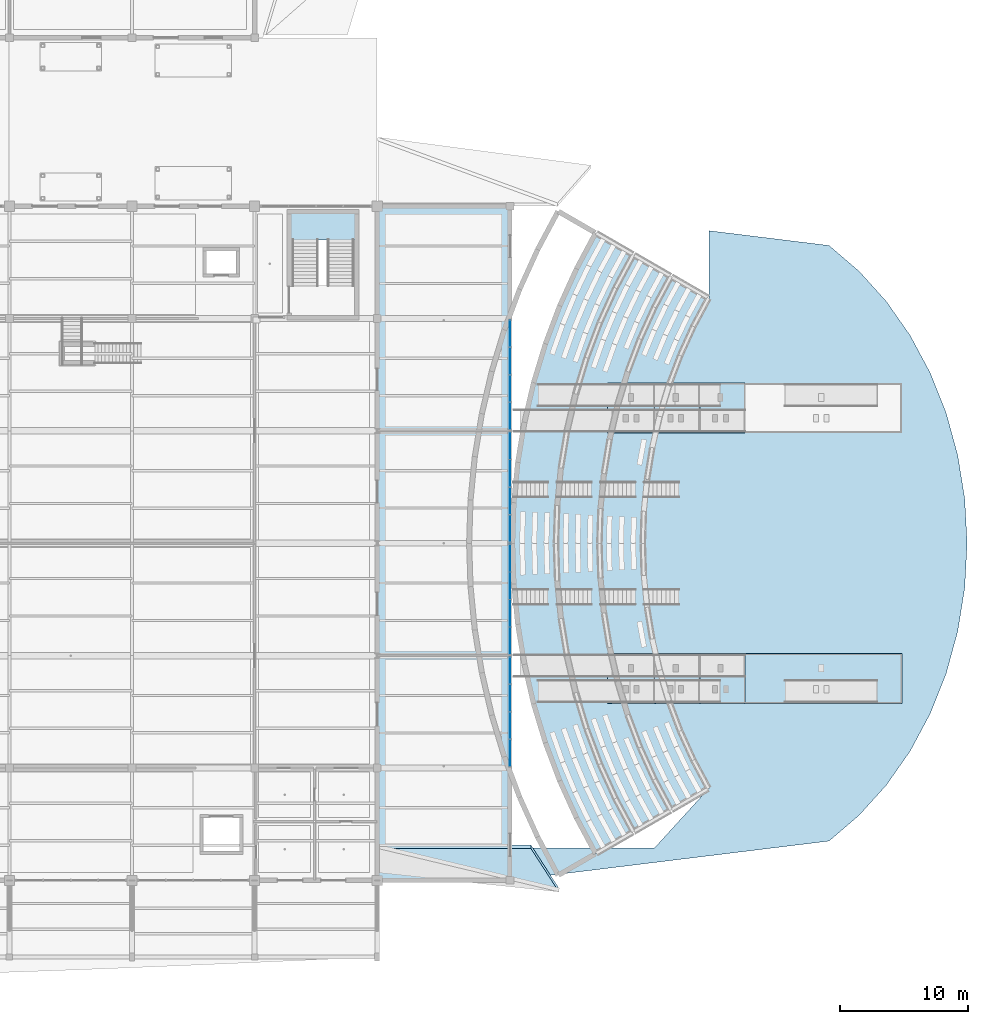
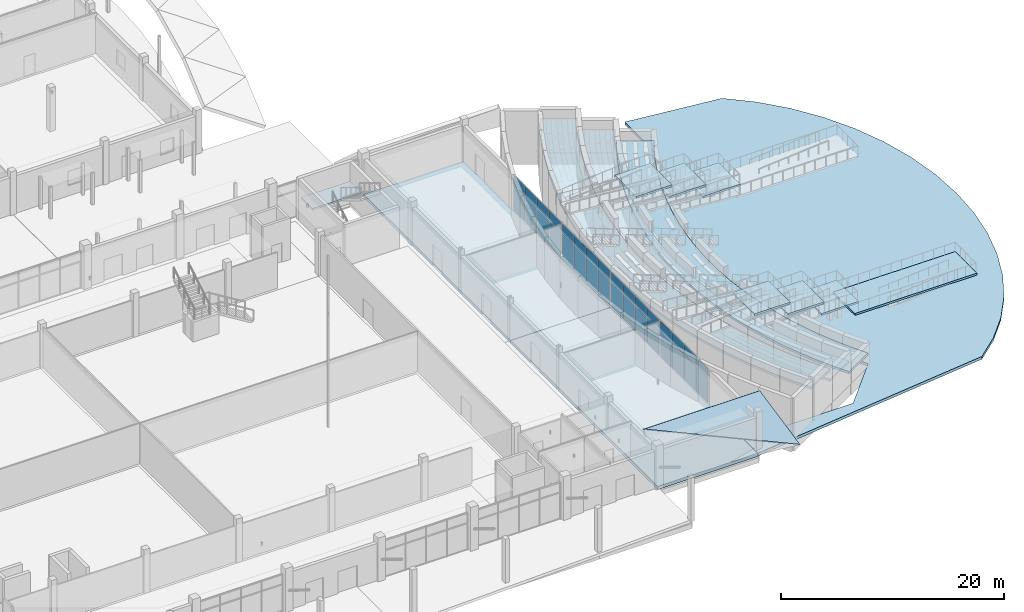
# One storey, part 69 of 116: 32 plates, 15 slabs, 12 elements without a shape of their own.
"""IFC4 building model written with IfcOpenShell, lengths in metres."""

from ifc_helpers import new_model, si_unit, direction, frame, origin, origin_2d, place, context, subcontext, project, spatial, polyline, rectangle, outline, extrude, material, layer, layer_set, type_object, element, aggregate, save


model = new_model("IFC4")

# Units and contexts
model_context = context("Model", 3, precision=1e-05, world=origin(), true_north=direction((0.0, 1.0)))
body_context = subcontext(model_context, "Body", "Model", "MODEL_VIEW")
ifc_project = project(units=[si_unit("LENGTHUNIT", "METRE"), si_unit("AREAUNIT", "SQUARE_METRE"), si_unit("VOLUMEUNIT", "CUBIC_METRE"), si_unit("PLANEANGLEUNIT", "RADIAN"), si_unit("MASSUNIT", "GRAM", prefix="KILO")], contexts=[model_context])

# Site, building, storey
site_placement = place(None, origin())
site = spatial("IfcSite", under=ifc_project, at=site_placement, CompositionType="ELEMENT")
building_placement = place(site_placement, origin())
building = spatial("IfcBuilding", under=site, at=building_placement, Name="Chalmorin Arch Market", CompositionType="ELEMENT")
storey_placement = place(building_placement, origin())
storey = spatial("IfcBuildingStorey", under=building, at=storey_placement, Name="L00", CompositionType="ELEMENT", Elevation=0.0)

# Slabs
ifc_material_1 = material(Name="Concrete C40/50", Category="concrete")
ifc_layer_1 = layer(ifc_material_1, 0.340087890625)
ifc_layer_set_1 = layer_set([ifc_layer_1], Name="Concrete C40/50")
slab_type_1 = type_object("IfcSlabType", Name="GreenMoundDeckSlab-340", PredefinedType="FLOOR", material=ifc_layer_set_1)
slab_1_placement = place(storey_placement, frame((136.8359375, 8.5, 4.780029296875), z_axis=(0.0, -0.804190333363, 0.594371859803), x_axis=(-1.0, 0.0, 0.0)))
element("IfcSlab", 1, at=slab_1_placement, inside=storey, type_object=slab_type_1, Name="ETS-340-647", PredefinedType="FLOOR", context=body_context, shape_type="SweptSolid", body=[
    extrude(outline(polyline([(0.0, 0.0), (11.98583984375, 0.0), (-2.199951171875, 5.720160346884823), (0.0, 0.0)])), origin(), (0.0, 0.0, -1.0), 0.340087890625),
])
ifc_layer_2 = layer(ifc_material_1, 0.300048828125)
ifc_layer_set_2 = layer_set([ifc_layer_2], Name="Concrete C40/50")
slab_type_2 = type_object("IfcSlabType", Name="OutdoorPlazaBaseSlab-300", PredefinedType="BASESLAB", material=ifc_layer_set_2)
slab_2_placement = place(storey_placement, frame((0.0, 0.0, -0.300048828125)))
element("IfcSlab", 2, at=slab_2_placement, inside=storey, type_object=slab_type_2, Name="EBS-300-049", PredefinedType="BASESLAB", context=body_context, shape_type="SweptSolid", body=[
    extrude(outline(polyline([(135.219970703125, 6.010009765625), (160.18798828125, 9.0791015625), (162.552001953125, 11.10400390625), (164.68408203125, 13.469970703125), (166.548095703125, 16.138916015625), (168.115966796875, 19.068115234375), (169.363037109375, 22.2099609375), (170.26708984375, 25.514892578125), (170.81591796875, 28.929931640625), (171.0, 32.39990234375), (170.81591796875, 35.8701171875), (170.26708984375, 39.284912109375), (169.363037109375, 42.590087890625), (168.115966796875, 45.73193359375), (166.548095703125, 48.660888671875), (164.68408203125, 51.330078125), (162.552001953125, 53.696044921875), (160.18798828125, 55.720947265625), (135.219970703125, 58.800048828125), (150.779052734375, 58.800048828125), (150.779052734375, 51.580078125), (149.97412109375, 50.113037109375), (149.23388671875, 48.612060546875), (148.56005859375, 47.080078125), (147.952880859375, 45.52001953125), (147.4150390625, 43.93505859375), (146.947021484375, 42.327880859375), (146.549072265625, 40.702880859375), (146.222900390625, 39.06103515625), (145.968017578125, 37.406982421875), (145.785888671875, 35.742919921875), (145.677001953125, 34.072998046875), (145.639892578125, 32.39990234375), (145.677001953125, 30.72705078125), (145.785888671875, 29.056884765625), (145.968017578125, 27.39306640625), (146.222900390625, 25.739013671875), (146.549072265625, 24.096923828125), (146.947021484375, 22.471923828125), (147.4150390625, 20.864990234375), (147.952880859375, 19.280029296875), (148.56005859375, 17.719970703125), (149.23388671875, 16.18798828125), (149.97412109375, 14.68701171875), (150.779052734375, 13.219970703125), (146.5, 8.52001953125), (135.219970703125, 8.52001953125), (135.219970703125, 6.010009765625)])), origin(), (0.0, 0.0, 1.0), 0.300048828125),
])
ifc_layer_3 = layer(ifc_material_1, 0.260009765625)
ifc_layer_set_3 = layer_set([ifc_layer_3], Name="Concrete C40/50")
slab_type_3 = type_object("IfcSlabType", Name="OutdoorTerraceLandingSlab-260", PredefinedType="BASESLAB", material=ifc_layer_set_3)
slab_3_placement = place(storey_placement, frame((0.0, 0.0, 0.93994140625)))
element("IfcSlab", 3, at=slab_3_placement, inside=storey, type_object=slab_type_3, Name="ETL-260-056", PredefinedType="BASESLAB", context=body_context, shape_type="SweptSolid", body=[
    extrude(outline(polyline([(147.81298828125, 53.2919921875), (146.93603515625, 51.694091796875), (146.1298828125, 50.05908203125), (145.39599609375, 48.389892578125), (144.735107421875, 46.69091796875), (144.14892578125, 44.965087890625), (143.638916015625, 43.215087890625), (143.205078125, 41.444091796875), (142.85009765625, 39.656005859375), (142.572021484375, 37.85400390625), (142.3740234375, 36.0419921875), (142.2548828125, 34.222900390625), (142.215087890625, 32.39990234375), (142.2548828125, 30.576904296875), (142.3740234375, 28.758056640625), (142.572021484375, 26.946044921875), (142.85009765625, 25.14404296875), (143.205078125, 23.35595703125), (143.638916015625, 21.5849609375), (144.14892578125, 19.8349609375), (144.735107421875, 18.10888671875), (145.39599609375, 16.409912109375), (146.1298828125, 14.740966796875), (146.93603515625, 13.10595703125), (147.81298828125, 11.507080078125), (150.73193359375, 13.19189453125), (149.925048828125, 14.662109375), (149.18408203125, 16.1650390625), (148.509033203125, 17.698974609375), (147.902099609375, 19.260986328125), (147.363037109375, 20.847900390625), (146.89404296875, 22.45703125), (146.49609375, 24.0849609375), (146.1689453125, 25.72900390625), (145.9140625, 27.385986328125), (145.73095703125, 29.052001953125), (145.6220703125, 30.72412109375), (145.5849609375, 32.39990234375), (145.6220703125, 34.075927734375), (145.73095703125, 35.748046875), (145.9140625, 37.4140625), (146.1689453125, 39.071044921875), (146.49609375, 40.715087890625), (146.89404296875, 42.343017578125), (147.363037109375, 43.951904296875), (147.902099609375, 45.5390625), (148.509033203125, 47.10107421875), (149.18408203125, 48.635009765625), (149.925048828125, 50.137939453125), (150.73193359375, 51.60693359375), (147.81298828125, 53.2919921875)])), origin(), (0.0, 0.0, 1.0), 0.260009765625),
])
slab_4_placement = place(storey_placement, frame((0.0, 0.0, 2.139892578125)))
element("IfcSlab", 4, at=slab_4_placement, inside=storey, type_object=slab_type_3, Name="ETL-260-057", PredefinedType="BASESLAB", context=body_context, shape_type="SweptSolid", body=[
    extrude(outline(polyline([(144.868896484375, 54.991943359375), (143.919921875, 53.263916015625), (143.048095703125, 51.49609375), (142.2548828125, 49.69189453125), (141.5400390625, 47.85400390625), (140.906005859375, 45.987060546875), (140.35498046875, 44.094970703125), (139.885986328125, 42.179931640625), (139.5009765625, 40.24609375), (139.201904296875, 38.298095703125), (138.987060546875, 36.337890625), (138.85791015625, 34.37109375), (138.81494140625, 32.39990234375), (138.85791015625, 30.428955078125), (138.987060546875, 28.4619140625), (139.201904296875, 26.501953125), (139.5009765625, 24.553955078125), (139.885986328125, 22.6201171875), (140.35498046875, 20.705078125), (140.906005859375, 18.81298828125), (141.5400390625, 16.946044921875), (142.2548828125, 15.10791015625), (143.048095703125, 13.303955078125), (143.919921875, 11.535888671875), (144.868896484375, 9.806884765625), (147.787109375, 11.491943359375), (146.909912109375, 13.092041015625), (146.10302734375, 14.72802734375), (145.367919921875, 16.39794921875), (144.70703125, 18.097900390625), (144.1201171875, 19.825927734375), (143.610107421875, 21.576904296875), (143.176025390625, 23.35009765625), (142.820068359375, 25.138916015625), (142.54296875, 26.94189453125), (142.343994140625, 28.756103515625), (142.22509765625, 30.575927734375), (142.18505859375, 32.39990234375), (142.22509765625, 34.22412109375), (142.343994140625, 36.0439453125), (142.54296875, 37.85791015625), (142.820068359375, 39.660888671875), (143.176025390625, 41.449951171875), (143.610107421875, 43.222900390625), (144.1201171875, 44.97412109375), (144.70703125, 46.701904296875), (145.367919921875, 48.402099609375), (146.10302734375, 50.072021484375), (146.909912109375, 51.7080078125), (147.787109375, 53.306884765625), (144.868896484375, 54.991943359375)])), origin(), (0.0, 0.0, 1.0), 0.260009765625),
])
slab_5_placement = place(storey_placement, frame((0.0, 0.0, 3.340087890625)))
element("IfcSlab", 5, at=slab_5_placement, inside=storey, type_object=slab_type_3, Name="ETL-260-058", PredefinedType="BASESLAB", context=body_context, shape_type="SweptSolid", body=[
    extrude(outline(polyline([(141.924072265625, 56.69189453125), (140.905029296875, 54.833984375), (139.967041015625, 52.93310546875), (139.113037109375, 50.992919921875), (138.344970703125, 49.01708984375), (137.6640625, 47.010009765625), (137.070068359375, 44.97509765625), (136.56689453125, 42.916015625), (136.153076171875, 40.8369140625), (135.8310546875, 38.741943359375), (135.60009765625, 36.634033203125), (135.4609375, 34.51904296875), (135.4150390625, 32.39990234375), (135.4609375, 30.281005859375), (135.60009765625, 28.166015625), (135.8310546875, 26.05810546875), (136.153076171875, 23.962890625), (136.56689453125, 21.884033203125), (137.070068359375, 19.824951171875), (137.6640625, 17.7900390625), (138.344970703125, 15.782958984375), (139.113037109375, 13.806884765625), (139.967041015625, 11.866943359375), (140.905029296875, 9.966064453125), (141.924072265625, 8.10693359375), (144.843017578125, 9.7919921875), (143.89404296875, 11.52197265625), (143.02099609375, 13.291015625), (142.22705078125, 15.096923828125), (141.511962890625, 16.93603515625), (140.8779296875, 18.803955078125), (140.325927734375, 20.697021484375), (139.85693359375, 22.614013671875), (139.471923828125, 24.548095703125), (139.172119140625, 26.498046875), (138.95703125, 28.458984375), (138.827880859375, 30.427978515625), (138.784912109375, 32.39990234375), (138.827880859375, 34.3720703125), (138.95703125, 36.341064453125), (139.172119140625, 38.302001953125), (139.471923828125, 40.251953125), (139.85693359375, 42.18603515625), (140.325927734375, 44.10302734375), (140.8779296875, 45.99609375), (141.511962890625, 47.864013671875), (142.22705078125, 49.702880859375), (143.02099609375, 51.509033203125), (143.89404296875, 53.278076171875), (144.843017578125, 55.007080078125), (141.924072265625, 56.69189453125)])), origin(), (0.0, 0.0, 1.0), 0.260009765625),
])
ifc_layer_4 = layer(ifc_material_1, 0.35009765625)
ifc_layer_set_4 = layer_set([ifc_layer_4], Name="Concrete C40/50")
slab_type_4 = type_object("IfcSlabType", Name="PlinthGroundSlab-350", PredefinedType="BASESLAB", material=ifc_layer_set_4)
slab_6_placement = place(storey_placement, frame((0.0, 0.0, -0.35009765625)))
element("IfcSlab", 6, at=slab_6_placement, inside=storey, type_object=slab_type_4, Name="BS-350-047", PredefinedType="BASESLAB", context=body_context, shape_type="SweptSolid", body=[
    extrude(outline(polyline([(124.820068359375, 6.010009765625), (135.179931640625, 6.010009765625), (135.179931640625, 32.389892578125), (124.820068359375, 32.389892578125), (124.820068359375, 6.010009765625)])), origin(), (0.0, 0.0, 1.0), 0.35009765625),
])
slab_7_placement = place(storey_placement, frame((0.0, 0.0, -0.35009765625)))
element("IfcSlab", 7, at=slab_7_placement, inside=storey, type_object=slab_type_4, Name="BS-350-048", PredefinedType="BASESLAB", context=body_context, shape_type="SweptSolid", body=[
    extrude(outline(polyline([(124.820068359375, 32.409912109375), (135.179931640625, 32.409912109375), (135.179931640625, 58.800048828125), (124.820068359375, 58.800048828125), (124.820068359375, 32.409912109375)])), origin(), (0.0, 0.0, 1.0), 0.35009765625),
])

# Ramp, slab
ramp_type = type_object("IfcRampType", Name="AmphitheatreAccessibleRamp-1800", PredefinedType="HALF_TURN_RAMP", material=ifc_material_1)
ramp_1_placement = place(storey_placement, origin())
ramp_1 = element("IfcRamp", 8, at=ramp_1_placement, inside=storey, type_object=ramp_type, material=ifc_material_1, Name="RMP-01", PredefinedType="HALF_TURN_RAMP")
ifc_layer_5 = layer(ifc_material_1, 0.2099609375)
ifc_layer_set_5 = layer_set([ifc_layer_5], Name="Concrete C40/50")
slab_type_5 = type_object("IfcSlabType", Name="RampLandingSlab-210", PredefinedType="LANDING", material=ifc_layer_set_5)
slab_8_placement = place(storey_placement, frame((0.0, 0.0, 0.389892578125)))
slab_8 = element("IfcSlab", 9, at=slab_8_placement, type_object=slab_type_5, Name="RLS-01", PredefinedType="LANDING", context=body_context, shape_type="SweptSolid", body=[
    extrude(outline(polyline([(153.2490234375, 19.85009765625), (165.89990234375, 19.85009765625), (165.89990234375, 23.75), (153.2490234375, 23.75), (153.2490234375, 19.85009765625)])), origin(), (0.0, 0.0, 1.0), 0.210205078125),
])
aggregate(ramp_1, [slab_8])

ramp_2_placement = place(storey_placement, origin())
ramp_2 = element("IfcRamp", 10, at=ramp_2_placement, inside=storey, type_object=ramp_type, material=ifc_material_1, Name="RMP-03", PredefinedType="HALF_TURN_RAMP")
slab_9_placement = place(storey_placement, frame((0.0, 0.0, 1.590087890625)))
slab_9 = element("IfcSlab", 11, at=slab_9_placement, type_object=slab_type_5, Name="RLS-03", PredefinedType="LANDING", context=body_context, shape_type="SweptSolid", body=[
    extrude(outline(polyline([(149.764892578125, 19.85009765625), (153.613037109375, 19.85009765625), (153.613037109375, 23.75), (149.764892578125, 23.75), (149.764892578125, 19.85009765625)])), origin(), (0.0, 0.0, 1.0), 0.2099609375),
])
aggregate(ramp_2, [slab_9])

ramp_3_placement = place(storey_placement, origin())
ramp_3 = element("IfcRamp", 12, at=ramp_3_placement, inside=storey, type_object=ramp_type, material=ifc_material_1, Name="RMP-04", PredefinedType="HALF_TURN_RAMP")
slab_10_placement = place(storey_placement, frame((0.0, 0.0, 1.590087890625)))
slab_10 = element("IfcSlab", 13, at=slab_10_placement, type_object=slab_type_5, Name="RLS-04", PredefinedType="LANDING", context=body_context, shape_type="SweptSolid", body=[
    extrude(outline(polyline([(149.764892578125, 41.050048828125), (153.613037109375, 41.050048828125), (153.613037109375, 44.949951171875), (149.764892578125, 44.949951171875), (149.764892578125, 41.050048828125)])), origin(), (0.0, 0.0, 1.0), 0.2099609375),
])
aggregate(ramp_3, [slab_10])

ramp_4_placement = place(storey_placement, origin())
ramp_4 = element("IfcRamp", 14, at=ramp_4_placement, inside=storey, type_object=ramp_type, material=ifc_material_1, Name="RMP-05", PredefinedType="HALF_TURN_RAMP")
slab_11_placement = place(storey_placement, frame((0.0, 0.0, 2.7900390625)))
slab_11 = element("IfcSlab", 15, at=slab_11_placement, type_object=slab_type_5, Name="RLS-05", PredefinedType="LANDING", context=body_context, shape_type="SweptSolid", body=[
    extrude(outline(polyline([(146.294921875, 19.85009765625), (150.06298828125, 19.85009765625), (150.06298828125, 23.75), (146.294921875, 23.75), (146.294921875, 19.85009765625)])), origin(), (0.0, 0.0, 1.0), 0.2099609375),
])
aggregate(ramp_4, [slab_11])

ramp_5_placement = place(storey_placement, origin())
ramp_5 = element("IfcRamp", 16, at=ramp_5_placement, inside=storey, type_object=ramp_type, material=ifc_material_1, Name="RMP-06", PredefinedType="HALF_TURN_RAMP")
slab_12_placement = place(storey_placement, frame((0.0, 0.0, 2.7900390625)))
slab_12 = element("IfcSlab", 17, at=slab_12_placement, type_object=slab_type_5, Name="RLS-06", PredefinedType="LANDING", context=body_context, shape_type="SweptSolid", body=[
    extrude(outline(polyline([(146.294921875, 41.050048828125), (150.06298828125, 41.050048828125), (150.06298828125, 44.949951171875), (146.294921875, 44.949951171875), (146.294921875, 41.050048828125)])), origin(), (0.0, 0.0, 1.0), 0.2099609375),
])
aggregate(ramp_5, [slab_12])

ramp_6_placement = place(storey_placement, origin())
ramp_6 = element("IfcRamp", 18, at=ramp_6_placement, inside=storey, type_object=ramp_type, material=ifc_material_1, Name="RMP-07", PredefinedType="HALF_TURN_RAMP")
slab_13_placement = place(storey_placement, frame((0.0, 0.0, 3.989990234375)))
slab_13 = element("IfcSlab", 19, at=slab_13_placement, type_object=slab_type_5, Name="RLS-07", PredefinedType="LANDING", context=body_context, shape_type="SweptSolid", body=[
    extrude(outline(polyline([(142.8349609375, 19.85009765625), (146.534912109375, 19.85009765625), (146.534912109375, 23.75), (142.8349609375, 23.75), (142.8349609375, 19.85009765625)])), origin(), (0.0, 0.0, 1.0), 0.2099609375),
])
aggregate(ramp_6, [slab_13])

ramp_7_placement = place(storey_placement, origin())
ramp_7 = element("IfcRamp", 20, at=ramp_7_placement, inside=storey, type_object=ramp_type, material=ifc_material_1, Name="RMP-08", PredefinedType="HALF_TURN_RAMP")
slab_14_placement = place(storey_placement, frame((0.0, 0.0, 3.989990234375)))
slab_14 = element("IfcSlab", 21, at=slab_14_placement, type_object=slab_type_5, Name="RLS-08", PredefinedType="LANDING", context=body_context, shape_type="SweptSolid", body=[
    extrude(outline(polyline([(142.8349609375, 41.050048828125), (146.534912109375, 41.050048828125), (146.534912109375, 44.949951171875), (142.8349609375, 44.949951171875), (142.8349609375, 41.050048828125)])), origin(), (0.0, 0.0, 1.0), 0.2099609375),
])
aggregate(ramp_7, [slab_14])

# Curtain wall, plates
ifc_material_2 = material(Name="Aluminium 6063-T6", Category="aluminium")
ifc_layer_6 = layer(ifc_material_2, 0.159912109375)
ifc_layer_set_6 = layer_set([ifc_layer_6], Name="Aluminium 6063-T6")
curtain_wall_type = type_object("IfcCurtainWallType", Name="RiverfrontStorefrontCurtainWall-CW2-8620x3990", PredefinedType="NOTDEFINED", material=ifc_layer_set_6)
curtain_wall_1_placement = place(storey_placement, origin())
curtain_wall_1 = element("IfcCurtainWall", 22, at=curtain_wall_1_placement, inside=storey, type_object=curtain_wall_type, Name="CW-02-191", PredefinedType="NOTDEFINED")
ifc_material_3 = material(Name="Powder-coated Aluminium Panel", Category="aluminium")
ifc_layer_7 = layer(ifc_material_3, 0.0400390625)
ifc_layer_set_7 = layer_set([ifc_layer_7], Name="Powder-coated Aluminium Panel")
plate_type_1 = type_object("IfcPlateType", Name="ShadowboxSpandrelPanel-40", PredefinedType="CURTAIN_PANEL", material=ifc_layer_set_7)
plate_1_placement = place(storey_placement, frame((135.199951171875, 15.967529296875, 2.91455078125), z_axis=(0.0, 0.0, 1.0), x_axis=(0.0, 1.0, 0.0)))
plate_1 = element("IfcPlate", 23, at=plate_1_placement, type_object=plate_type_1, Name="SP-40-191-01B", PredefinedType="CURTAIN_PANEL", context=body_context, shape_type="SweptSolid", body=[
    extrude(rectangle(XDim=2.074951171875, YDim=0.0400390625, at=origin_2d()), origin(), (0.0, 0.0, 1.0), 1.001220703125),
])
plate_2_placement = place(storey_placement, frame((135.199951171875, 18.12255859375, 2.91455078125), z_axis=(0.0, 0.0, 1.0), x_axis=(0.0, 1.0, 0.0)))
plate_2 = element("IfcPlate", 24, at=plate_2_placement, type_object=plate_type_1, Name="SP-40-191-02B", PredefinedType="CURTAIN_PANEL", context=body_context, shape_type="SweptSolid", body=[
    extrude(rectangle(XDim=2.074951171875, YDim=0.0400390625, at=origin_2d()), origin(), (0.0, 0.0, 1.0), 1.001220703125),
])
plate_3_placement = place(storey_placement, frame((135.199951171875, 20.277587890625, 2.91455078125), z_axis=(0.0, 0.0, 1.0), x_axis=(0.0, 1.0, 0.0)))
plate_3 = element("IfcPlate", 25, at=plate_3_placement, type_object=plate_type_1, Name="SP-40-191-03B", PredefinedType="CURTAIN_PANEL", context=body_context, shape_type="SweptSolid", body=[
    extrude(rectangle(XDim=2.074951171875, YDim=0.0400390625, at=origin_2d()), origin(), (0.0, 0.0, 1.0), 1.001220703125),
])
plate_4_placement = place(storey_placement, frame((135.199951171875, 22.4326171875, 2.91455078125), z_axis=(0.0, 0.0, 1.0), x_axis=(0.0, 1.0, 0.0)))
plate_4 = element("IfcPlate", 26, at=plate_4_placement, type_object=plate_type_1, Name="SP-40-191-04B", PredefinedType="CURTAIN_PANEL", context=body_context, shape_type="SweptSolid", body=[
    extrude(rectangle(XDim=2.074951171875, YDim=0.0400390625, at=origin_2d()), origin(), (0.0, 0.0, 1.0), 1.001220703125),
])

curtain_wall_2_placement = place(storey_placement, origin())
curtain_wall_2 = element("IfcCurtainWall", 27, at=curtain_wall_2_placement, inside=storey, type_object=curtain_wall_type, Name="CW-02-192", PredefinedType="NOTDEFINED")
plate_5_placement = place(storey_placement, frame((135.199951171875, 24.767578125, 2.91455078125), z_axis=(0.0, 0.0, 1.0), x_axis=(0.0, 1.0, 0.0)))
plate_5 = element("IfcPlate", 28, at=plate_5_placement, type_object=plate_type_1, Name="SP-40-192-01B", PredefinedType="CURTAIN_PANEL", context=body_context, shape_type="SweptSolid", body=[
    extrude(rectangle(XDim=2.074951171875, YDim=0.0400390625, at=origin_2d()), origin(), (0.0, 0.0, 1.0), 1.001220703125),
])
plate_6_placement = place(storey_placement, frame((135.199951171875, 26.922607421875, 2.91455078125), z_axis=(0.0, 0.0, 1.0), x_axis=(0.0, 1.0, 0.0)))
plate_6 = element("IfcPlate", 29, at=plate_6_placement, type_object=plate_type_1, Name="SP-40-192-02B", PredefinedType="CURTAIN_PANEL", context=body_context, shape_type="SweptSolid", body=[
    extrude(rectangle(XDim=2.074951171875, YDim=0.0400390625, at=origin_2d()), origin(), (0.0, 0.0, 1.0), 1.001220703125),
])
plate_7_placement = place(storey_placement, frame((135.199951171875, 29.077392578125, 2.91455078125), z_axis=(0.0, 0.0, 1.0), x_axis=(0.0, 1.0, 0.0)))
plate_7 = element("IfcPlate", 30, at=plate_7_placement, type_object=plate_type_1, Name="SP-40-192-03B", PredefinedType="CURTAIN_PANEL", context=body_context, shape_type="SweptSolid", body=[
    extrude(rectangle(XDim=2.074951171875, YDim=0.0400390625, at=origin_2d()), origin(), (0.0, 0.0, 1.0), 1.001220703125),
])
plate_8_placement = place(storey_placement, frame((135.199951171875, 31.232421875, 2.91455078125), z_axis=(0.0, 0.0, 1.0), x_axis=(0.0, 1.0, 0.0)))
plate_8 = element("IfcPlate", 31, at=plate_8_placement, type_object=plate_type_1, Name="SP-40-192-04B", PredefinedType="CURTAIN_PANEL", context=body_context, shape_type="SweptSolid", body=[
    extrude(rectangle(XDim=2.074951171875, YDim=0.0400390625, at=origin_2d()), origin(), (0.0, 0.0, 1.0), 1.001220703125),
])

curtain_wall_3_placement = place(storey_placement, origin())
curtain_wall_3 = element("IfcCurtainWall", 32, at=curtain_wall_3_placement, inside=storey, type_object=curtain_wall_type, Name="CW-02-193", PredefinedType="NOTDEFINED")
plate_9_placement = place(storey_placement, frame((135.199951171875, 33.5673828125, 2.91455078125), z_axis=(0.0, 0.0, 1.0), x_axis=(0.0, 1.0, 0.0)))
plate_9 = element("IfcPlate", 33, at=plate_9_placement, type_object=plate_type_1, Name="SP-40-193-01B", PredefinedType="CURTAIN_PANEL", context=body_context, shape_type="SweptSolid", body=[
    extrude(rectangle(XDim=2.074951171875, YDim=0.0400390625, at=origin_2d()), origin(), (0.0, 0.0, 1.0), 1.001220703125),
])
plate_10_placement = place(storey_placement, frame((135.199951171875, 35.722412109375, 2.91455078125), z_axis=(0.0, 0.0, 1.0), x_axis=(0.0, 1.0, 0.0)))
plate_10 = element("IfcPlate", 34, at=plate_10_placement, type_object=plate_type_1, Name="SP-40-193-02B", PredefinedType="CURTAIN_PANEL", context=body_context, shape_type="SweptSolid", body=[
    extrude(rectangle(XDim=2.074951171875, YDim=0.0400390625, at=origin_2d()), origin(), (0.0, 0.0, 1.0), 1.001220703125),
])
plate_11_placement = place(storey_placement, frame((135.199951171875, 37.87744140625, 2.91455078125), z_axis=(0.0, 0.0, 1.0), x_axis=(0.0, 1.0, 0.0)))
plate_11 = element("IfcPlate", 35, at=plate_11_placement, type_object=plate_type_1, Name="SP-40-193-03B", PredefinedType="CURTAIN_PANEL", context=body_context, shape_type="SweptSolid", body=[
    extrude(rectangle(XDim=2.074951171875, YDim=0.0400390625, at=origin_2d()), origin(), (0.0, 0.0, 1.0), 1.001220703125),
])
plate_12_placement = place(storey_placement, frame((135.199951171875, 40.032470703125, 2.91455078125), z_axis=(0.0, 0.0, 1.0), x_axis=(0.0, 1.0, 0.0)))
plate_12 = element("IfcPlate", 36, at=plate_12_placement, type_object=plate_type_1, Name="SP-40-193-04B", PredefinedType="CURTAIN_PANEL", context=body_context, shape_type="SweptSolid", body=[
    extrude(rectangle(XDim=2.074951171875, YDim=0.0400390625, at=origin_2d()), origin(), (0.0, 0.0, 1.0), 1.001220703125),
])

curtain_wall_4_placement = place(storey_placement, origin())
curtain_wall_4 = element("IfcCurtainWall", 37, at=curtain_wall_4_placement, inside=storey, type_object=curtain_wall_type, Name="CW-02-194", PredefinedType="NOTDEFINED")
plate_13_placement = place(storey_placement, frame((135.199951171875, 42.367431640625, 2.91455078125), z_axis=(0.0, 0.0, 1.0), x_axis=(0.0, 1.0, 0.0)))
plate_13 = element("IfcPlate", 38, at=plate_13_placement, type_object=plate_type_1, Name="SP-40-194-01B", PredefinedType="CURTAIN_PANEL", context=body_context, shape_type="SweptSolid", body=[
    extrude(rectangle(XDim=2.074951171875, YDim=0.0400390625, at=origin_2d()), origin(), (0.0, 0.0, 1.0), 1.001220703125),
])
plate_14_placement = place(storey_placement, frame((135.199951171875, 44.5224609375, 2.91455078125), z_axis=(0.0, 0.0, 1.0), x_axis=(0.0, 1.0, 0.0)))
plate_14 = element("IfcPlate", 39, at=plate_14_placement, type_object=plate_type_1, Name="SP-40-194-02B", PredefinedType="CURTAIN_PANEL", context=body_context, shape_type="SweptSolid", body=[
    extrude(rectangle(XDim=2.074951171875, YDim=0.0400390625, at=origin_2d()), origin(), (0.0, 0.0, 1.0), 1.001220703125),
])
plate_15_placement = place(storey_placement, frame((135.199951171875, 46.677490234375, 2.91455078125), z_axis=(0.0, 0.0, 1.0), x_axis=(0.0, 1.0, 0.0)))
plate_15 = element("IfcPlate", 40, at=plate_15_placement, type_object=plate_type_1, Name="SP-40-194-03B", PredefinedType="CURTAIN_PANEL", context=body_context, shape_type="SweptSolid", body=[
    extrude(rectangle(XDim=2.074951171875, YDim=0.0400390625, at=origin_2d()), origin(), (0.0, 0.0, 1.0), 1.001220703125),
])
plate_16_placement = place(storey_placement, frame((135.199951171875, 48.83251953125, 2.91455078125), z_axis=(0.0, 0.0, 1.0), x_axis=(0.0, 1.0, 0.0)))
plate_16 = element("IfcPlate", 41, at=plate_16_placement, type_object=plate_type_1, Name="SP-40-194-04B", PredefinedType="CURTAIN_PANEL", context=body_context, shape_type="SweptSolid", body=[
    extrude(rectangle(XDim=2.074951171875, YDim=0.0400390625, at=origin_2d()), origin(), (0.0, 0.0, 1.0), 1.001220703125),
])

# Stair, slab
stair_type = type_object("IfcStairType", Name="DoglegExitStair-28R-SC4", PredefinedType="HALF_TURN_STAIR", material=ifc_material_1)
stair_placement = place(storey_placement, origin())
stair = element("IfcStair", 42, at=stair_placement, inside=storey, type_object=stair_type, Name="ST-09", PredefinedType="HALF_TURN_STAIR")
ifc_layer_8 = layer(ifc_material_1, 0.195068359375)
ifc_layer_set_8 = layer_set([ifc_layer_8], Name="Concrete C40/50")
slab_type_6 = type_object("IfcSlabType", Name="StairLandingSlab-195", PredefinedType="LANDING", material=ifc_layer_set_8)
slab_15_placement = place(storey_placement, frame((0.0, 0.0, 2.205078125)))
slab_15 = element("IfcSlab", 43, at=slab_15_placement, type_object=slab_type_6, Name="LS-009", PredefinedType="LANDING", context=body_context, shape_type="SweptSolid", body=[
    extrude(outline(polyline([(118.02001953125, 56.159912109375), (123.080078125, 56.159912109375), (123.080078125, 58.22998046875), (118.02001953125, 58.22998046875), (118.02001953125, 56.159912109375)])), origin(), (0.0, 0.0, 1.0), 0.19482421875),
])
aggregate(stair, [slab_15])

# Plate
ifc_material_4 = material(Name="Low-E Tempered Glass", Category="glass")
ifc_layer_9 = layer(ifc_material_4, 0.028076171875)
ifc_layer_set_9 = layer_set([ifc_layer_9], Name="Low-E Tempered Glass")
plate_type_2 = type_object("IfcPlateType", Name="VisionIGUPanel-28", PredefinedType="CURTAIN_PANEL", material=ifc_layer_set_9)
plate_17_placement = place(storey_placement, frame((135.199951171875, 15.967529296875, 0.070068359375), z_axis=(0.0, 0.0, 1.0), x_axis=(0.0, 1.0, 0.0)))
plate_17 = element("IfcPlate", 44, at=plate_17_placement, type_object=plate_type_2, Name="GL-28-191-01A", PredefinedType="CURTAIN_PANEL", context=body_context, shape_type="SweptSolid", body=[
    extrude(rectangle(XDim=2.074951171875, YDim=0.028076171875, at=origin_2d()), origin(), (0.0, 0.0, 1.0), 2.7548828125),
])

plate_18_placement = place(storey_placement, frame((135.199951171875, 18.12255859375, 0.070068359375), z_axis=(0.0, 0.0, 1.0), x_axis=(0.0, 1.0, 0.0)))
plate_18 = element("IfcPlate", 45, at=plate_18_placement, type_object=plate_type_2, Name="GL-28-191-02A", PredefinedType="CURTAIN_PANEL", context=body_context, shape_type="SweptSolid", body=[
    extrude(rectangle(XDim=2.074951171875, YDim=0.028076171875, at=origin_2d()), origin(), (0.0, 0.0, 1.0), 2.7548828125),
])

plate_19_placement = place(storey_placement, frame((135.199951171875, 20.277587890625, 0.070068359375), z_axis=(0.0, 0.0, 1.0), x_axis=(0.0, 1.0, 0.0)))
plate_19 = element("IfcPlate", 46, at=plate_19_placement, type_object=plate_type_2, Name="GL-28-191-03A", PredefinedType="CURTAIN_PANEL", context=body_context, shape_type="SweptSolid", body=[
    extrude(rectangle(XDim=2.074951171875, YDim=0.028076171875, at=origin_2d()), origin(), (0.0, 0.0, 1.0), 2.7548828125),
])

plate_20_placement = place(storey_placement, frame((135.199951171875, 22.4326171875, 0.070068359375), z_axis=(0.0, 0.0, 1.0), x_axis=(0.0, 1.0, 0.0)))
plate_20 = element("IfcPlate", 47, at=plate_20_placement, type_object=plate_type_2, Name="GL-28-191-04A", PredefinedType="CURTAIN_PANEL", context=body_context, shape_type="SweptSolid", body=[
    extrude(rectangle(XDim=2.074951171875, YDim=0.028076171875, at=origin_2d()), origin(), (0.0, 0.0, 1.0), 2.7548828125),
])

aggregate(curtain_wall_1, [plate_17, plate_1, plate_18, plate_2, plate_19, plate_3, plate_20, plate_4])

plate_21_placement = place(storey_placement, frame((135.199951171875, 24.767578125, 0.070068359375), z_axis=(0.0, 0.0, 1.0), x_axis=(0.0, 1.0, 0.0)))
plate_21 = element("IfcPlate", 48, at=plate_21_placement, type_object=plate_type_2, Name="GL-28-192-01A", PredefinedType="CURTAIN_PANEL", context=body_context, shape_type="SweptSolid", body=[
    extrude(rectangle(XDim=2.074951171875, YDim=0.028076171875, at=origin_2d()), origin(), (0.0, 0.0, 1.0), 2.7548828125),
])

plate_22_placement = place(storey_placement, frame((135.199951171875, 26.922607421875, 0.070068359375), z_axis=(0.0, 0.0, 1.0), x_axis=(0.0, 1.0, 0.0)))
plate_22 = element("IfcPlate", 49, at=plate_22_placement, type_object=plate_type_2, Name="GL-28-192-02A", PredefinedType="CURTAIN_PANEL", context=body_context, shape_type="SweptSolid", body=[
    extrude(rectangle(XDim=2.074951171875, YDim=0.028076171875, at=origin_2d()), origin(), (0.0, 0.0, 1.0), 2.7548828125),
])

plate_23_placement = place(storey_placement, frame((135.199951171875, 29.077392578125, 0.070068359375), z_axis=(0.0, 0.0, 1.0), x_axis=(0.0, 1.0, 0.0)))
plate_23 = element("IfcPlate", 50, at=plate_23_placement, type_object=plate_type_2, Name="GL-28-192-03A", PredefinedType="CURTAIN_PANEL", context=body_context, shape_type="SweptSolid", body=[
    extrude(rectangle(XDim=2.074951171875, YDim=0.028076171875, at=origin_2d()), origin(), (0.0, 0.0, 1.0), 2.7548828125),
])

plate_24_placement = place(storey_placement, frame((135.199951171875, 31.232421875, 0.070068359375), z_axis=(0.0, 0.0, 1.0), x_axis=(0.0, 1.0, 0.0)))
plate_24 = element("IfcPlate", 51, at=plate_24_placement, type_object=plate_type_2, Name="GL-28-192-04A", PredefinedType="CURTAIN_PANEL", context=body_context, shape_type="SweptSolid", body=[
    extrude(rectangle(XDim=2.074951171875, YDim=0.028076171875, at=origin_2d()), origin(), (0.0, 0.0, 1.0), 2.7548828125),
])

aggregate(curtain_wall_2, [plate_21, plate_5, plate_22, plate_6, plate_23, plate_7, plate_24, plate_8])

plate_25_placement = place(storey_placement, frame((135.199951171875, 33.5673828125, 0.070068359375), z_axis=(0.0, 0.0, 1.0), x_axis=(0.0, 1.0, 0.0)))
plate_25 = element("IfcPlate", 52, at=plate_25_placement, type_object=plate_type_2, Name="GL-28-193-01A", PredefinedType="CURTAIN_PANEL", context=body_context, shape_type="SweptSolid", body=[
    extrude(rectangle(XDim=2.074951171875, YDim=0.028076171875, at=origin_2d()), origin(), (0.0, 0.0, 1.0), 2.7548828125),
])

plate_26_placement = place(storey_placement, frame((135.199951171875, 35.722412109375, 0.070068359375), z_axis=(0.0, 0.0, 1.0), x_axis=(0.0, 1.0, 0.0)))
plate_26 = element("IfcPlate", 53, at=plate_26_placement, type_object=plate_type_2, Name="GL-28-193-02A", PredefinedType="CURTAIN_PANEL", context=body_context, shape_type="SweptSolid", body=[
    extrude(rectangle(XDim=2.074951171875, YDim=0.028076171875, at=origin_2d()), origin(), (0.0, 0.0, 1.0), 2.7548828125),
])

plate_27_placement = place(storey_placement, frame((135.199951171875, 37.87744140625, 0.070068359375), z_axis=(0.0, 0.0, 1.0), x_axis=(0.0, 1.0, 0.0)))
plate_27 = element("IfcPlate", 54, at=plate_27_placement, type_object=plate_type_2, Name="GL-28-193-03A", PredefinedType="CURTAIN_PANEL", context=body_context, shape_type="SweptSolid", body=[
    extrude(rectangle(XDim=2.074951171875, YDim=0.028076171875, at=origin_2d()), origin(), (0.0, 0.0, 1.0), 2.7548828125),
])

plate_28_placement = place(storey_placement, frame((135.199951171875, 40.032470703125, 0.070068359375), z_axis=(0.0, 0.0, 1.0), x_axis=(0.0, 1.0, 0.0)))
plate_28 = element("IfcPlate", 55, at=plate_28_placement, type_object=plate_type_2, Name="GL-28-193-04A", PredefinedType="CURTAIN_PANEL", context=body_context, shape_type="SweptSolid", body=[
    extrude(rectangle(XDim=2.074951171875, YDim=0.028076171875, at=origin_2d()), origin(), (0.0, 0.0, 1.0), 2.7548828125),
])

aggregate(curtain_wall_3, [plate_25, plate_9, plate_26, plate_10, plate_27, plate_11, plate_28, plate_12])

plate_29_placement = place(storey_placement, frame((135.199951171875, 42.367431640625, 0.070068359375), z_axis=(0.0, 0.0, 1.0), x_axis=(0.0, 1.0, 0.0)))
plate_29 = element("IfcPlate", 56, at=plate_29_placement, type_object=plate_type_2, Name="GL-28-194-01A", PredefinedType="CURTAIN_PANEL", context=body_context, shape_type="SweptSolid", body=[
    extrude(rectangle(XDim=2.074951171875, YDim=0.028076171875, at=origin_2d()), origin(), (0.0, 0.0, 1.0), 2.7548828125),
])

plate_30_placement = place(storey_placement, frame((135.199951171875, 44.5224609375, 0.070068359375), z_axis=(0.0, 0.0, 1.0), x_axis=(0.0, 1.0, 0.0)))
plate_30 = element("IfcPlate", 57, at=plate_30_placement, type_object=plate_type_2, Name="GL-28-194-02A", PredefinedType="CURTAIN_PANEL", context=body_context, shape_type="SweptSolid", body=[
    extrude(rectangle(XDim=2.074951171875, YDim=0.028076171875, at=origin_2d()), origin(), (0.0, 0.0, 1.0), 2.7548828125),
])

plate_31_placement = place(storey_placement, frame((135.199951171875, 46.677490234375, 0.070068359375), z_axis=(0.0, 0.0, 1.0), x_axis=(0.0, 1.0, 0.0)))
plate_31 = element("IfcPlate", 58, at=plate_31_placement, type_object=plate_type_2, Name="GL-28-194-03A", PredefinedType="CURTAIN_PANEL", context=body_context, shape_type="SweptSolid", body=[
    extrude(rectangle(XDim=2.074951171875, YDim=0.028076171875, at=origin_2d()), origin(), (0.0, 0.0, 1.0), 2.7548828125),
])

plate_32_placement = place(storey_placement, frame((135.199951171875, 48.83251953125, 0.070068359375), z_axis=(0.0, 0.0, 1.0), x_axis=(0.0, 1.0, 0.0)))
plate_32 = element("IfcPlate", 59, at=plate_32_placement, type_object=plate_type_2, Name="GL-28-194-04A", PredefinedType="CURTAIN_PANEL", context=body_context, shape_type="SweptSolid", body=[
    extrude(rectangle(XDim=2.074951171875, YDim=0.028076171875, at=origin_2d()), origin(), (0.0, 0.0, 1.0), 2.7548828125),
])

aggregate(curtain_wall_4, [plate_29, plate_13, plate_30, plate_14, plate_31, plate_15, plate_32, plate_16])

save(model, "model.ifc")
